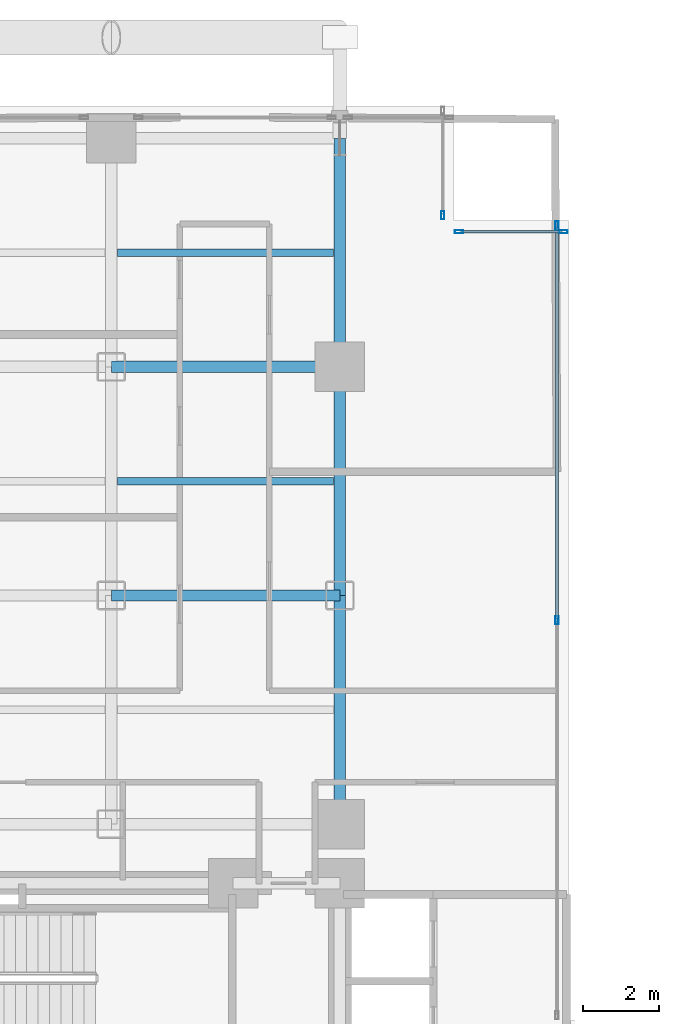
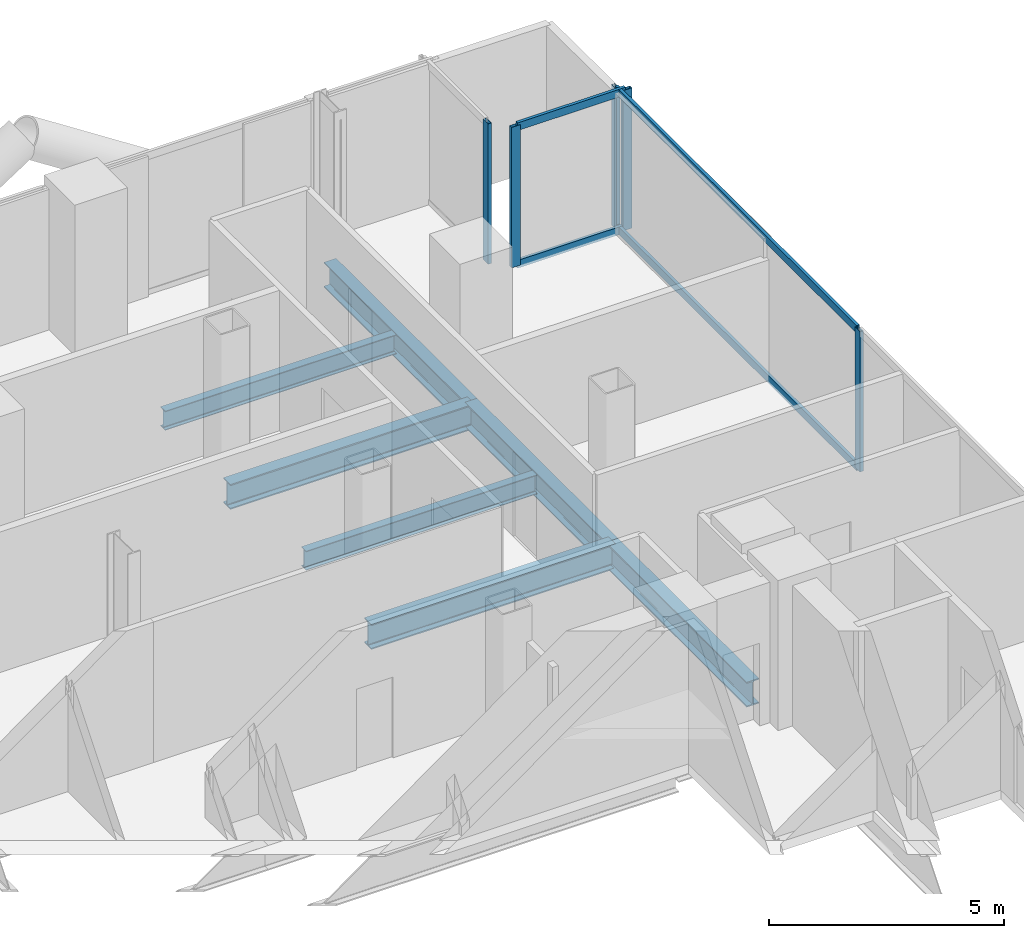
# One storey, part 15 of 27: 9 members, 7 beams, 3 elements without a shape of their own.
"""IFC4 building model written with IfcOpenShell, lengths in metres."""

from ifc_helpers import new_model, si_unit, direction, frame, origin, origin_2d, place, context, subcontext, project, spatial, hollow_rectangle, i_section, extrude, material, layer, layer_set, material_profile, profile_set, type_object, element, aggregate, save


model = new_model("IFC4")

# Units and contexts
model_context = context("Model", 3, precision=1e-05, world=origin(), true_north=direction((0.0, 1.0)))
body_context = subcontext(model_context, "Body", "Model", "MODEL_VIEW")
ifc_project = project(units=[si_unit("LENGTHUNIT", "METRE"), si_unit("AREAUNIT", "SQUARE_METRE"), si_unit("VOLUMEUNIT", "CUBIC_METRE"), si_unit("PLANEANGLEUNIT", "RADIAN"), si_unit("MASSUNIT", "GRAM", prefix="KILO"), si_unit("THERMODYNAMICTEMPERATUREUNIT", "KELVIN"), si_unit("POWERUNIT", "WATT")], contexts=[model_context])

# Site, building, storey
site_placement = place(None, origin())
site = spatial("IfcSite", under=ifc_project, at=site_placement, CompositionType="ELEMENT")
building_placement = place(site_placement, origin())
building = spatial("IfcBuilding", under=site, at=building_placement, Name="Svarakhadi Broadcast Tower", CompositionType="ELEMENT")
storey_placement = place(building_placement, frame((0.0, 0.0, 71.39990234375)))
storey = spatial("IfcBuildingStorey", under=building, at=storey_placement, Name="L16", CompositionType="ELEMENT", Elevation=71.39990234375)

# Beams
ifc_material_1 = material(Name="Steel S355J2 (IS 2062 E350C)", Category="steel")
ifc_material_profile_1 = material_profile(ifc_material_1, i_section(OverallWidth=0.199951171875, OverallDepth=0.5, WebThickness=0.01025390625, FlangeThickness=0.01611328125, FilletRadius=0.02099609375, at=origin_2d()), Name="NPB 500x200x91")
ifc_profile_set_1 = profile_set([ifc_material_profile_1], Name="Steel S355J2 (IS 2062 E350C)")
beam_type_1 = type_object("IfcBeamType", Name="Beam_NPB500", PredefinedType="BEAM", material=ifc_profile_set_1)
for number, where, z_axis, x_axis, name in (
    (1, (12.159912109375, 38.14990234375, -0.5), (1.0, 0.0, 0.0), (0.0, 1.0, 0.0), "L16 Secondary Composite Beam SB017"),
    (2, (12.159912109375, 44.14990234375, -0.5), (1.0, 0.0, 0.0), (0.0, 1.0, 0.0), "L16 Secondary Composite Beam SB018"),
):
    element("IfcBeam", number, at=place(storey_placement, frame(where, z_axis=z_axis, x_axis=x_axis)), inside=storey, type_object=beam_type_1, Name=name, PredefinedType="BEAM", context=body_context, shape_type="SweptSolid", body=[
        extrude(i_section(OverallWidth=0.199951171875, OverallDepth=0.5, WebThickness=0.01025390625, FlangeThickness=0.01611328125, FilletRadius=0.02099609375, at=origin_2d()), origin(), (0.0, 0.0, 1.0), 5.68017578125),
    ])

# Curtain wall, member
ifc_material_2 = material(Name="Anodised Bronze Aluminium AA 6063-T6", Category="aluminium")
ifc_layer = layer(ifc_material_2, 0.219970703125)
ifc_layer_set = layer_set([ifc_layer], Name="Anodised Bronze Aluminium AA 6063-T6")
curtain_wall_type = type_object("IfcCurtainWallType", Name="CW_Sys_02", PredefinedType="NOTDEFINED", material=ifc_layer_set)
curtain_wall_1_placement = place(storey_placement, origin())
curtain_wall_1 = element("IfcCurtainWall", 3, at=curtain_wall_1_placement, inside=storey, type_object=curtain_wall_type, Name="L16 Unitised Facade Curtain Wall 07", PredefinedType="NOTDEFINED")
ifc_material_profile_2 = material_profile(ifc_material_2, hollow_rectangle(XDim=0.0849609375, YDim=0.219970703125, WallThickness=0.006103515625, at=origin_2d()), Name="ALU MULLION 220x85x6")
ifc_profile_set_2 = profile_set([ifc_material_profile_2], Name="Anodised Bronze Aluminium AA 6063-T6")
member_type_1 = type_object("IfcMemberType", Name="CW_Sys_02_Mul", PredefinedType="MULLION", material=ifc_profile_set_2)
member_1_placement = place(storey_placement, frame((20.699951171875, 45.132568359375, 0.0), z_axis=(0.0, 0.0, 1.0), x_axis=(1.0, 0.0, 0.0)))
member_1 = element("IfcMember", 4, at=member_1_placement, type_object=member_type_1, Name="CW-02 mullion 2", PredefinedType="MULLION", context=body_context, shape_type="SweptSolid", body=[
    extrude(hollow_rectangle(XDim=0.0849609375, YDim=0.219970703125, WallThickness=0.006103515625, at=origin_2d()), origin(), (0.0, 0.0, 1.0), 3.650146484375),
])
aggregate(curtain_wall_1, [member_1])

# Curtain wall, members
curtain_wall_2_placement = place(storey_placement, origin())
curtain_wall_2 = element("IfcCurtainWall", 5, at=curtain_wall_2_placement, inside=storey, type_object=curtain_wall_type, Name="L16 Unitised Facade Curtain Wall 08", PredefinedType="NOTDEFINED")
member_2_placement = place(storey_placement, frame((21.132568359375, 44.699951171875, 0.0), z_axis=(0.0, 0.0, 1.0), x_axis=(0.0, 1.0, 0.0)))
member_2 = element("IfcMember", 6, at=member_2_placement, type_object=member_type_1, Name="CW-02 mullion 1", PredefinedType="MULLION", context=body_context, shape_type="SweptSolid", body=[
    extrude(hollow_rectangle(XDim=0.0849609375, YDim=0.219970703125, WallThickness=0.006103515625, at=origin_2d()), origin(), (0.0, 0.0, 1.0), 3.650146484375),
])
member_3_placement = place(storey_placement, frame((23.867431640625, 44.699951171875, 0.0), z_axis=(0.0, 0.0, 1.0), x_axis=(0.0, 1.0, 0.0)))
member_3 = element("IfcMember", 7, at=member_3_placement, type_object=member_type_1, Name="CW-02 mullion 2", PredefinedType="MULLION", context=body_context, shape_type="SweptSolid", body=[
    extrude(hollow_rectangle(XDim=0.0849609375, YDim=0.219970703125, WallThickness=0.006103515625, at=origin_2d()), origin(), (0.0, 0.0, 1.0), 3.650146484375),
])

curtain_wall_3_placement = place(storey_placement, origin())
curtain_wall_3 = element("IfcCurtainWall", 8, at=curtain_wall_3_placement, inside=storey, type_object=curtain_wall_type, Name="L16 Unitised Facade Curtain Wall 09", PredefinedType="NOTDEFINED")
member_4_placement = place(storey_placement, frame((23.699951171875, 44.867431640625, 0.0), z_axis=(0.0, 0.0, 1.0), x_axis=(1.0, 0.0, 0.0)))
member_4 = element("IfcMember", 9, at=member_4_placement, type_object=member_type_1, Name="CW-02 mullion 1", PredefinedType="MULLION", context=body_context, shape_type="SweptSolid", body=[
    extrude(hollow_rectangle(XDim=0.0849609375, YDim=0.219970703125, WallThickness=0.006103515625, at=origin_2d()), origin(), (0.0, 0.0, 1.0), 3.650146484375),
])
member_5_placement = place(storey_placement, frame((23.699951171875, 34.5, 0.0), z_axis=(0.0, 0.0, 1.0), x_axis=(1.0, 0.0, 0.0)))
member_5 = element("IfcMember", 10, at=member_5_placement, type_object=member_type_1, Name="CW-02 mullion 2", PredefinedType="MULLION", context=body_context, shape_type="SweptSolid", body=[
    extrude(hollow_rectangle(XDim=0.0849609375, YDim=0.219970703125, WallThickness=0.006103515625, at=origin_2d()), origin(), (0.0, 0.0, 1.0), 3.650146484375),
])

# Member
ifc_material_profile_3 = material_profile(ifc_material_2, hollow_rectangle(XDim=0.074951171875, YDim=0.199951171875, WallThickness=0.0048828125, at=origin_2d()), Name="ALU TRANSOM 200x75x5")
ifc_profile_set_3 = profile_set([ifc_material_profile_3], Name="Anodised Bronze Aluminium AA 6063-T6")
member_type_2 = type_object("IfcMemberType", Name="CW_Sys_02_Trn", PredefinedType="USERDEFINED", material=ifc_profile_set_3)
member_6_placement = place(storey_placement, frame((21.175048828125, 44.699951171875, 0.03759765625), z_axis=(1.0, 0.0, 0.0), x_axis=(0.0, 1.0, 0.0)))
member_6 = element("IfcMember", 11, at=member_6_placement, type_object=member_type_2, Name="CW-02 transom 1.1", ObjectType="TRANSOM", PredefinedType="USERDEFINED", context=body_context, shape_type="SweptSolid", body=[
    extrude(hollow_rectangle(XDim=0.074951171875, YDim=0.199951171875, WallThickness=0.0048828125, at=origin_2d()), origin(), (0.0, 0.0, 1.0), 2.64990234375),
])

member_7_placement = place(storey_placement, frame((21.175048828125, 44.699951171875, 3.612548828125), z_axis=(1.0, 0.0, 0.0), x_axis=(0.0, 1.0, 0.0)))
member_7 = element("IfcMember", 12, at=member_7_placement, type_object=member_type_2, Name="CW-02 transom 1.2", ObjectType="TRANSOM", PredefinedType="USERDEFINED", context=body_context, shape_type="SweptSolid", body=[
    extrude(hollow_rectangle(XDim=0.074951171875, YDim=0.199951171875, WallThickness=0.0048828125, at=origin_2d()), origin(), (0.0, 0.0, 1.0), 2.64990234375),
])

aggregate(curtain_wall_2, [member_2, member_3, member_6, member_7])

member_8_placement = place(storey_placement, frame((23.699951171875, 44.824951171875, 0.03759765625), z_axis=(0.0, -1.0, 0.0), x_axis=(1.0, 0.0, 0.0)))
member_8 = element("IfcMember", 13, at=member_8_placement, type_object=member_type_2, Name="CW-02 transom 1.1", ObjectType="TRANSOM", PredefinedType="USERDEFINED", context=body_context, shape_type="SweptSolid", body=[
    extrude(hollow_rectangle(XDim=0.074951171875, YDim=0.199951171875, WallThickness=0.0048828125, at=origin_2d()), origin(), (0.0, 0.0, 1.0), 10.282470703125),
])

member_9_placement = place(storey_placement, frame((23.699951171875, 44.824951171875, 3.612548828125), z_axis=(0.0, -1.0, 0.0), x_axis=(1.0, 0.0, 0.0)))
member_9 = element("IfcMember", 14, at=member_9_placement, type_object=member_type_2, Name="CW-02 transom 1.2", ObjectType="TRANSOM", PredefinedType="USERDEFINED", context=body_context, shape_type="SweptSolid", body=[
    extrude(hollow_rectangle(XDim=0.074951171875, YDim=0.199951171875, WallThickness=0.0048828125, at=origin_2d()), origin(), (0.0, 0.0, 1.0), 10.282470703125),
])

aggregate(curtain_wall_3, [member_4, member_5, member_8, member_9])

# Beams
ifc_material_profile_4 = material_profile(ifc_material_1, i_section(OverallWidth=0.300048828125, OverallDepth=0.64990234375, WebThickness=0.01611328125, FlangeThickness=0.031005859375, FilletRadius=0.027099609375, at=origin_2d()), Name="WPB 650x300x225")
ifc_profile_set_4 = profile_set([ifc_material_profile_4], Name="Steel S355J2 (IS 2062 E350C)")
beam_type_2 = type_object("IfcBeamType", Name="Girder_WPB650", PredefinedType="USERDEFINED", material=ifc_profile_set_4)
for number, where, z_axis, x_axis, name in (
    (15, (12.0, 35.14990234375, -0.574951171875), (1.0, 0.0, 0.0), (0.0, 1.0, 0.0), "L16 Primary E-W Girder G039"),
    (16, (12.0, 41.14990234375, -0.574951171875), (1.0, 0.0, 0.0), (0.0, 1.0, 0.0), "L16 Primary E-W Girder G042"),
    (17, (18.0, 29.14990234375, -0.574951171875), (0.0, 1.0, 0.0), (-1.0, 0.0, 0.0), "L16 Primary N-S Girder G068"),
    (18, (18.0, 35.14990234375, -0.574951171875), (0.0, 1.0, 0.0), (-1.0, 0.0, 0.0), "L16 Primary N-S Girder G069"),
    (19, (18.0, 41.14990234375, -0.574951171875), (0.0, 1.0, 0.0), (-1.0, 0.0, 0.0), "L16 Primary N-S Girder G070"),
):
    element("IfcBeam", number, at=place(storey_placement, frame(where, z_axis=z_axis, x_axis=x_axis)), inside=storey, type_object=beam_type_2, Name=name, ObjectType="GIRDER", PredefinedType="USERDEFINED", context=body_context, shape_type="SweptSolid", body=[
        extrude(i_section(OverallWidth=0.300048828125, OverallDepth=0.64990234375, WebThickness=0.01611328125, FlangeThickness=0.031005859375, FilletRadius=0.027099609375, at=origin_2d()), origin(), (0.0, 0.0, 1.0), 6.0),
    ])

save(model, "model.ifc")
